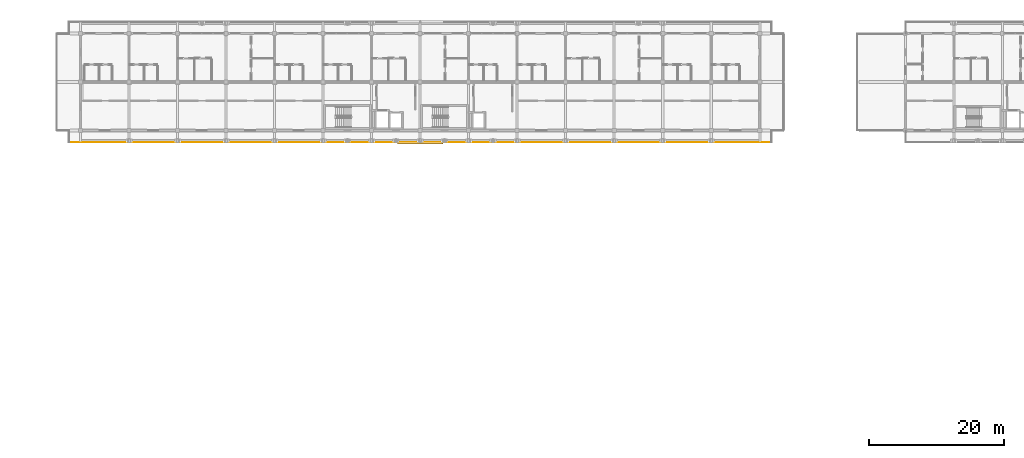
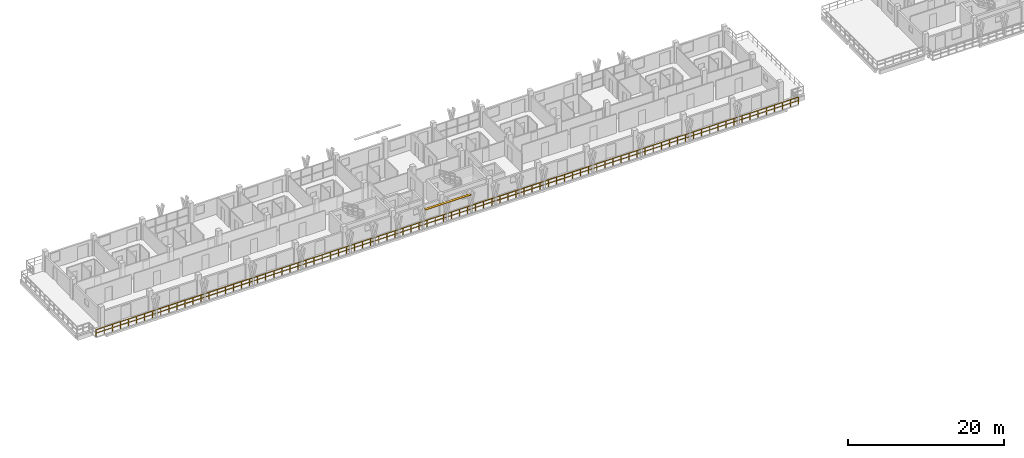
# One storey, part 64 of 73: 1 railing, 1 shading device.
"""IFC4 building model written with IfcOpenShell, lengths in metres."""

from ifc_helpers import new_model, si_unit, direction, frame, origin, origin_2d, place, context, subcontext, project, spatial, rectangle, extrude, material, type_object, element, save


model = new_model("IFC4")

# Units and contexts
model_context = context("Model", 3, precision=1e-05, world=origin(), true_north=direction((0.0, 1.0)))
body_context = subcontext(model_context, "Body", "Model", "MODEL_VIEW")
ifc_project = project(units=[si_unit("LENGTHUNIT", "METRE"), si_unit("AREAUNIT", "SQUARE_METRE"), si_unit("VOLUMEUNIT", "CUBIC_METRE"), si_unit("PLANEANGLEUNIT", "RADIAN"), si_unit("MASSUNIT", "GRAM", prefix="KILO")], contexts=[model_context])

# Site, building, storey
site_placement = place(None, origin())
site = spatial("IfcSite", under=ifc_project, at=site_placement, CompositionType="ELEMENT")
building_placement = place(site_placement, origin())
building = spatial("IfcBuilding", under=site, at=building_placement, Name="Suanplinth Sawtooth Commons", CompositionType="ELEMENT")
storey_placement = place(building_placement, frame((0.0, 0.0, 21.89990234375)))
storey = spatial("IfcBuildingStorey", under=building, at=storey_placement, Name="L06", CompositionType="ELEMENT", Elevation=21.89990234375)

# Railing
ifc_material_1 = material(Name="Powder-coated galvanized steel", Category="steel")
railing_type = type_object("IfcRailingType", Name="GR-01", PredefinedType="BALUSTRADE", material=ifc_material_1)
railing_placement = place(storey_placement, frame((109.739990234375, 106.260009765625, 0.0)))
element("IfcRailing", 1, at=railing_placement, inside=storey, type_object=railing_type, Name="L06 Block A Perimeter Balustrade 11", PredefinedType="BALUSTRADE", context=body_context, shape_type="SweptSolid", body=[
    extrude(rectangle(XDim=0.048095703125, YDim=0.048095703125, at=origin_2d()), frame((0.0, 0.0, 1.09619140625), z_axis=(-1.0, 0.0, 0.0), x_axis=(0.0, -1.0, 0.0)), (0.0, 0.0, 1.0), 104.280029296875),
    extrude(rectangle(XDim=0.03369140625, YDim=0.03369140625, at=origin_2d()), frame((0.0, 0.0, 0.56005859375), z_axis=(-1.0, 0.0, 0.0), x_axis=(0.0, -1.0, 0.0)), (0.0, 0.0, 1.0), 104.280029296875),
    extrude(rectangle(XDim=0.0419921875, YDim=0.0419921875, at=origin_2d()), origin(), (0.0, 0.0, 1.0), 1.072021484375),
    extrude(rectangle(XDim=0.0419921875, YDim=0.0419921875, at=origin_2d()), frame((-1.19873046875, 0.0, 0.0)), (0.0, 0.0, 1.0), 1.072021484375),
    extrude(rectangle(XDim=0.0419921875, YDim=0.0419921875, at=origin_2d()), frame((-2.397216796875, 0.0, 0.0)), (0.0, 0.0, 1.0), 1.072021484375),
    extrude(rectangle(XDim=0.0419921875, YDim=0.0419921875, at=origin_2d()), frame((-3.595947265625, 0.0, 0.0)), (0.0, 0.0, 1.0), 1.072021484375),
    extrude(rectangle(XDim=0.0419921875, YDim=0.0419921875, at=origin_2d()), frame((-4.79443359375, 0.0, 0.0)), (0.0, 0.0, 1.0), 1.072021484375),
    extrude(rectangle(XDim=0.0419921875, YDim=0.0419921875, at=origin_2d()), frame((-5.9931640625, 0.0, 0.0)), (0.0, 0.0, 1.0), 1.072021484375),
    extrude(rectangle(XDim=0.0419921875, YDim=0.0419921875, at=origin_2d()), frame((-7.191650390625, 0.0, 0.0)), (0.0, 0.0, 1.0), 1.072021484375),
    extrude(rectangle(XDim=0.0419921875, YDim=0.0419921875, at=origin_2d()), frame((-8.390380859375, 0.0, 0.0)), (0.0, 0.0, 1.0), 1.072021484375),
    extrude(rectangle(XDim=0.0419921875, YDim=0.0419921875, at=origin_2d()), frame((-9.5888671875, 0.0, 0.0)), (0.0, 0.0, 1.0), 1.072021484375),
    extrude(rectangle(XDim=0.0419921875, YDim=0.0419921875, at=origin_2d()), frame((-10.78759765625, 0.0, 0.0)), (0.0, 0.0, 1.0), 1.072021484375),
    extrude(rectangle(XDim=0.0419921875, YDim=0.0419921875, at=origin_2d()), frame((-11.986328125, 0.0, 0.0)), (0.0, 0.0, 1.0), 1.072021484375),
    extrude(rectangle(XDim=0.0419921875, YDim=0.0419921875, at=origin_2d()), frame((-13.184814453125, 0.0, 0.0)), (0.0, 0.0, 1.0), 1.072021484375),
    extrude(rectangle(XDim=0.0419921875, YDim=0.0419921875, at=origin_2d()), frame((-14.383544921875, 0.0, 0.0)), (0.0, 0.0, 1.0), 1.072021484375),
    extrude(rectangle(XDim=0.0419921875, YDim=0.0419921875, at=origin_2d()), frame((-15.58203125, 0.0, 0.0)), (0.0, 0.0, 1.0), 1.072021484375),
    extrude(rectangle(XDim=0.0419921875, YDim=0.0419921875, at=origin_2d()), frame((-16.78076171875, 0.0, 0.0)), (0.0, 0.0, 1.0), 1.072021484375),
    extrude(rectangle(XDim=0.0419921875, YDim=0.0419921875, at=origin_2d()), frame((-17.979248046875, 0.0, 0.0)), (0.0, 0.0, 1.0), 1.072021484375),
    extrude(rectangle(XDim=0.0419921875, YDim=0.0419921875, at=origin_2d()), frame((-19.177978515625, 0.0, 0.0)), (0.0, 0.0, 1.0), 1.072021484375),
    extrude(rectangle(XDim=0.0419921875, YDim=0.0419921875, at=origin_2d()), frame((-20.37646484375, 0.0, 0.0)), (0.0, 0.0, 1.0), 1.072021484375),
    extrude(rectangle(XDim=0.0419921875, YDim=0.0419921875, at=origin_2d()), frame((-21.5751953125, 0.0, 0.0)), (0.0, 0.0, 1.0), 1.072021484375),
    extrude(rectangle(XDim=0.0419921875, YDim=0.0419921875, at=origin_2d()), frame((-22.773681640625, 0.0, 0.0)), (0.0, 0.0, 1.0), 1.072021484375),
    extrude(rectangle(XDim=0.0419921875, YDim=0.0419921875, at=origin_2d()), frame((-23.972412109375, 0.0, 0.0)), (0.0, 0.0, 1.0), 1.072021484375),
    extrude(rectangle(XDim=0.0419921875, YDim=0.0419921875, at=origin_2d()), frame((-25.171142578125, 0.0, 0.0)), (0.0, 0.0, 1.0), 1.072021484375),
    extrude(rectangle(XDim=0.0419921875, YDim=0.0419921875, at=origin_2d()), frame((-26.36962890625, 0.0, 0.0)), (0.0, 0.0, 1.0), 1.072021484375),
    extrude(rectangle(XDim=0.0419921875, YDim=0.0419921875, at=origin_2d()), frame((-27.568359375, 0.0, 0.0)), (0.0, 0.0, 1.0), 1.072021484375),
    extrude(rectangle(XDim=0.0419921875, YDim=0.0419921875, at=origin_2d()), frame((-28.766845703125, 0.0, 0.0)), (0.0, 0.0, 1.0), 1.072021484375),
    extrude(rectangle(XDim=0.0419921875, YDim=0.0419921875, at=origin_2d()), frame((-29.965576171875, 0.0, 0.0)), (0.0, 0.0, 1.0), 1.072021484375),
    extrude(rectangle(XDim=0.0419921875, YDim=0.0419921875, at=origin_2d()), frame((-31.1640625, 0.0, 0.0)), (0.0, 0.0, 1.0), 1.072021484375),
    extrude(rectangle(XDim=0.0419921875, YDim=0.0419921875, at=origin_2d()), frame((-32.36279296875, 0.0, 0.0)), (0.0, 0.0, 1.0), 1.072021484375),
    extrude(rectangle(XDim=0.0419921875, YDim=0.0419921875, at=origin_2d()), frame((-33.561279296875, 0.0, 0.0)), (0.0, 0.0, 1.0), 1.072021484375),
    extrude(rectangle(XDim=0.0419921875, YDim=0.0419921875, at=origin_2d()), frame((-34.760009765625, 0.0, 0.0)), (0.0, 0.0, 1.0), 1.072021484375),
    extrude(rectangle(XDim=0.0419921875, YDim=0.0419921875, at=origin_2d()), frame((-35.958740234375, 0.0, 0.0)), (0.0, 0.0, 1.0), 1.072021484375),
    extrude(rectangle(XDim=0.0419921875, YDim=0.0419921875, at=origin_2d()), frame((-37.1572265625, 0.0, 0.0)), (0.0, 0.0, 1.0), 1.072021484375),
    extrude(rectangle(XDim=0.0419921875, YDim=0.0419921875, at=origin_2d()), frame((-38.35595703125, 0.0, 0.0)), (0.0, 0.0, 1.0), 1.072021484375),
    extrude(rectangle(XDim=0.0419921875, YDim=0.0419921875, at=origin_2d()), frame((-39.554443359375, 0.0, 0.0)), (0.0, 0.0, 1.0), 1.072021484375),
    extrude(rectangle(XDim=0.0419921875, YDim=0.0419921875, at=origin_2d()), frame((-40.753173828125, 0.0, 0.0)), (0.0, 0.0, 1.0), 1.072021484375),
    extrude(rectangle(XDim=0.0419921875, YDim=0.0419921875, at=origin_2d()), frame((-41.95166015625, 0.0, 0.0)), (0.0, 0.0, 1.0), 1.072021484375),
    extrude(rectangle(XDim=0.0419921875, YDim=0.0419921875, at=origin_2d()), frame((-43.150390625, 0.0, 0.0)), (0.0, 0.0, 1.0), 1.072021484375),
    extrude(rectangle(XDim=0.0419921875, YDim=0.0419921875, at=origin_2d()), frame((-44.348876953125, 0.0, 0.0)), (0.0, 0.0, 1.0), 1.072021484375),
    extrude(rectangle(XDim=0.0419921875, YDim=0.0419921875, at=origin_2d()), frame((-45.547607421875, 0.0, 0.0)), (0.0, 0.0, 1.0), 1.072021484375),
    extrude(rectangle(XDim=0.0419921875, YDim=0.0419921875, at=origin_2d()), frame((-46.746337890625, 0.0, 0.0)), (0.0, 0.0, 1.0), 1.072021484375),
    extrude(rectangle(XDim=0.0419921875, YDim=0.0419921875, at=origin_2d()), frame((-47.94482421875, 0.0, 0.0)), (0.0, 0.0, 1.0), 1.072021484375),
    extrude(rectangle(XDim=0.0419921875, YDim=0.0419921875, at=origin_2d()), frame((-49.1435546875, 0.0, 0.0)), (0.0, 0.0, 1.0), 1.072021484375),
    extrude(rectangle(XDim=0.0419921875, YDim=0.0419921875, at=origin_2d()), frame((-50.342041015625, 0.0, 0.0)), (0.0, 0.0, 1.0), 1.072021484375),
    extrude(rectangle(XDim=0.0419921875, YDim=0.0419921875, at=origin_2d()), frame((-51.540771484375, 0.0, 0.0)), (0.0, 0.0, 1.0), 1.072021484375),
    extrude(rectangle(XDim=0.0419921875, YDim=0.0419921875, at=origin_2d()), frame((-52.7392578125, 0.0, 0.0)), (0.0, 0.0, 1.0), 1.072021484375),
    extrude(rectangle(XDim=0.0419921875, YDim=0.0419921875, at=origin_2d()), frame((-53.93798828125, 0.0, 0.0)), (0.0, 0.0, 1.0), 1.072021484375),
    extrude(rectangle(XDim=0.0419921875, YDim=0.0419921875, at=origin_2d()), frame((-55.136474609375, 0.0, 0.0)), (0.0, 0.0, 1.0), 1.072021484375),
    extrude(rectangle(XDim=0.0419921875, YDim=0.0419921875, at=origin_2d()), frame((-56.335205078125, 0.0, 0.0)), (0.0, 0.0, 1.0), 1.072021484375),
    extrude(rectangle(XDim=0.0419921875, YDim=0.0419921875, at=origin_2d()), frame((-57.53369140625, 0.0, 0.0)), (0.0, 0.0, 1.0), 1.072021484375),
    extrude(rectangle(XDim=0.0419921875, YDim=0.0419921875, at=origin_2d()), frame((-58.732421875, 0.0, 0.0)), (0.0, 0.0, 1.0), 1.072021484375),
    extrude(rectangle(XDim=0.0419921875, YDim=0.0419921875, at=origin_2d()), frame((-59.93115234375, 0.0, 0.0)), (0.0, 0.0, 1.0), 1.072021484375),
    extrude(rectangle(XDim=0.0419921875, YDim=0.0419921875, at=origin_2d()), frame((-61.129638671875, 0.0, 0.0)), (0.0, 0.0, 1.0), 1.072021484375),
    extrude(rectangle(XDim=0.0419921875, YDim=0.0419921875, at=origin_2d()), frame((-62.328369140625, 0.0, 0.0)), (0.0, 0.0, 1.0), 1.072021484375),
    extrude(rectangle(XDim=0.0419921875, YDim=0.0419921875, at=origin_2d()), frame((-63.52685546875, 0.0, 0.0)), (0.0, 0.0, 1.0), 1.072021484375),
    extrude(rectangle(XDim=0.0419921875, YDim=0.0419921875, at=origin_2d()), frame((-64.7255859375, 0.0, 0.0)), (0.0, 0.0, 1.0), 1.072021484375),
    extrude(rectangle(XDim=0.0419921875, YDim=0.0419921875, at=origin_2d()), frame((-65.924072265625, 0.0, 0.0)), (0.0, 0.0, 1.0), 1.072021484375),
    extrude(rectangle(XDim=0.0419921875, YDim=0.0419921875, at=origin_2d()), frame((-67.122802734375, 0.0, 0.0)), (0.0, 0.0, 1.0), 1.072021484375),
    extrude(rectangle(XDim=0.0419921875, YDim=0.0419921875, at=origin_2d()), frame((-68.3212890625, 0.0, 0.0)), (0.0, 0.0, 1.0), 1.072021484375),
    extrude(rectangle(XDim=0.0419921875, YDim=0.0419921875, at=origin_2d()), frame((-69.52001953125, 0.0, 0.0)), (0.0, 0.0, 1.0), 1.072021484375),
    extrude(rectangle(XDim=0.0419921875, YDim=0.0419921875, at=origin_2d()), frame((-70.71875, 0.0, 0.0)), (0.0, 0.0, 1.0), 1.072021484375),
    extrude(rectangle(XDim=0.0419921875, YDim=0.0419921875, at=origin_2d()), frame((-71.917236328125, 0.0, 0.0)), (0.0, 0.0, 1.0), 1.072021484375),
    extrude(rectangle(XDim=0.0419921875, YDim=0.0419921875, at=origin_2d()), frame((-73.115966796875, 0.0, 0.0)), (0.0, 0.0, 1.0), 1.072021484375),
    extrude(rectangle(XDim=0.0419921875, YDim=0.0419921875, at=origin_2d()), frame((-74.314453125, 0.0, 0.0)), (0.0, 0.0, 1.0), 1.072021484375),
    extrude(rectangle(XDim=0.0419921875, YDim=0.0419921875, at=origin_2d()), frame((-75.51318359375, 0.0, 0.0)), (0.0, 0.0, 1.0), 1.072021484375),
    extrude(rectangle(XDim=0.0419921875, YDim=0.0419921875, at=origin_2d()), frame((-76.711669921875, 0.0, 0.0)), (0.0, 0.0, 1.0), 1.072021484375),
    extrude(rectangle(XDim=0.0419921875, YDim=0.0419921875, at=origin_2d()), frame((-77.910400390625, 0.0, 0.0)), (0.0, 0.0, 1.0), 1.072021484375),
    extrude(rectangle(XDim=0.0419921875, YDim=0.0419921875, at=origin_2d()), frame((-79.10888671875, 0.0, 0.0)), (0.0, 0.0, 1.0), 1.072021484375),
    extrude(rectangle(XDim=0.0419921875, YDim=0.0419921875, at=origin_2d()), frame((-80.3076171875, 0.0, 0.0)), (0.0, 0.0, 1.0), 1.072021484375),
    extrude(rectangle(XDim=0.0419921875, YDim=0.0419921875, at=origin_2d()), frame((-81.50634765625, 0.0, 0.0)), (0.0, 0.0, 1.0), 1.072021484375),
    extrude(rectangle(XDim=0.0419921875, YDim=0.0419921875, at=origin_2d()), frame((-82.704833984375, 0.0, 0.0)), (0.0, 0.0, 1.0), 1.072021484375),
    extrude(rectangle(XDim=0.0419921875, YDim=0.0419921875, at=origin_2d()), frame((-83.903564453125, 0.0, 0.0)), (0.0, 0.0, 1.0), 1.072021484375),
    extrude(rectangle(XDim=0.0419921875, YDim=0.0419921875, at=origin_2d()), frame((-85.10205078125, 0.0, 0.0)), (0.0, 0.0, 1.0), 1.072021484375),
    extrude(rectangle(XDim=0.0419921875, YDim=0.0419921875, at=origin_2d()), frame((-86.30078125, 0.0, 0.0)), (0.0, 0.0, 1.0), 1.072021484375),
    extrude(rectangle(XDim=0.0419921875, YDim=0.0419921875, at=origin_2d()), frame((-87.499267578125, 0.0, 0.0)), (0.0, 0.0, 1.0), 1.072021484375),
    extrude(rectangle(XDim=0.0419921875, YDim=0.0419921875, at=origin_2d()), frame((-88.697998046875, 0.0, 0.0)), (0.0, 0.0, 1.0), 1.072021484375),
    extrude(rectangle(XDim=0.0419921875, YDim=0.0419921875, at=origin_2d()), frame((-89.896484375, 0.0, 0.0)), (0.0, 0.0, 1.0), 1.072021484375),
    extrude(rectangle(XDim=0.0419921875, YDim=0.0419921875, at=origin_2d()), frame((-91.09521484375, 0.0, 0.0)), (0.0, 0.0, 1.0), 1.072021484375),
    extrude(rectangle(XDim=0.0419921875, YDim=0.0419921875, at=origin_2d()), frame((-92.293701171875, 0.0, 0.0)), (0.0, 0.0, 1.0), 1.072021484375),
    extrude(rectangle(XDim=0.0419921875, YDim=0.0419921875, at=origin_2d()), frame((-93.492431640625, 0.0, 0.0)), (0.0, 0.0, 1.0), 1.072021484375),
    extrude(rectangle(XDim=0.0419921875, YDim=0.0419921875, at=origin_2d()), frame((-94.691162109375, 0.0, 0.0)), (0.0, 0.0, 1.0), 1.072021484375),
    extrude(rectangle(XDim=0.0419921875, YDim=0.0419921875, at=origin_2d()), frame((-95.8896484375, 0.0, 0.0)), (0.0, 0.0, 1.0), 1.072021484375),
    extrude(rectangle(XDim=0.0419921875, YDim=0.0419921875, at=origin_2d()), frame((-97.08837890625, 0.0, 0.0)), (0.0, 0.0, 1.0), 1.072021484375),
    extrude(rectangle(XDim=0.0419921875, YDim=0.0419921875, at=origin_2d()), frame((-98.286865234375, 0.0, 0.0)), (0.0, 0.0, 1.0), 1.072021484375),
    extrude(rectangle(XDim=0.0419921875, YDim=0.0419921875, at=origin_2d()), frame((-99.485595703125, 0.0, 0.0)), (0.0, 0.0, 1.0), 1.072021484375),
    extrude(rectangle(XDim=0.0419921875, YDim=0.0419921875, at=origin_2d()), frame((-100.68408203125, 0.0, 0.0)), (0.0, 0.0, 1.0), 1.072021484375),
    extrude(rectangle(XDim=0.0419921875, YDim=0.0419921875, at=origin_2d()), frame((-101.8828125, 0.0, 0.0)), (0.0, 0.0, 1.0), 1.072021484375),
    extrude(rectangle(XDim=0.0419921875, YDim=0.0419921875, at=origin_2d()), frame((-103.081298828125, 0.0, 0.0)), (0.0, 0.0, 1.0), 1.072021484375),
    extrude(rectangle(XDim=0.0419921875, YDim=0.0419921875, at=origin_2d()), frame((-104.280029296875, 0.0, 0.0)), (0.0, 0.0, 1.0), 1.072021484375),
])

# Shading device
ifc_material_2 = material(Name="Anodized aluminium 6063-T6", Category="aluminium")
shading_device_type = type_object("IfcShadingDeviceType", Name="SHD-01", PredefinedType="JALOUSIE", material=ifc_material_2)
shading_device_placement = place(storey_placement, frame((57.60009765625, 106.159912109375, 2.920166015625), z_axis=(0.0, 0.0, 1.0), x_axis=(1.0, 0.0, 0.0)))
element("IfcShadingDevice", 2, at=shading_device_placement, inside=storey, type_object=shading_device_type, Name="Monsoon Louvre L06-A-2", PredefinedType="JALOUSIE", context=body_context, shape_type="SweptSolid", body=[
    extrude(rectangle(XDim=6.800048828125, YDim=0.35009765625, at=origin_2d()), origin(), (0.0, 0.0, 1.0), 0.06005859375),
])

save(model, "model.ifc")
